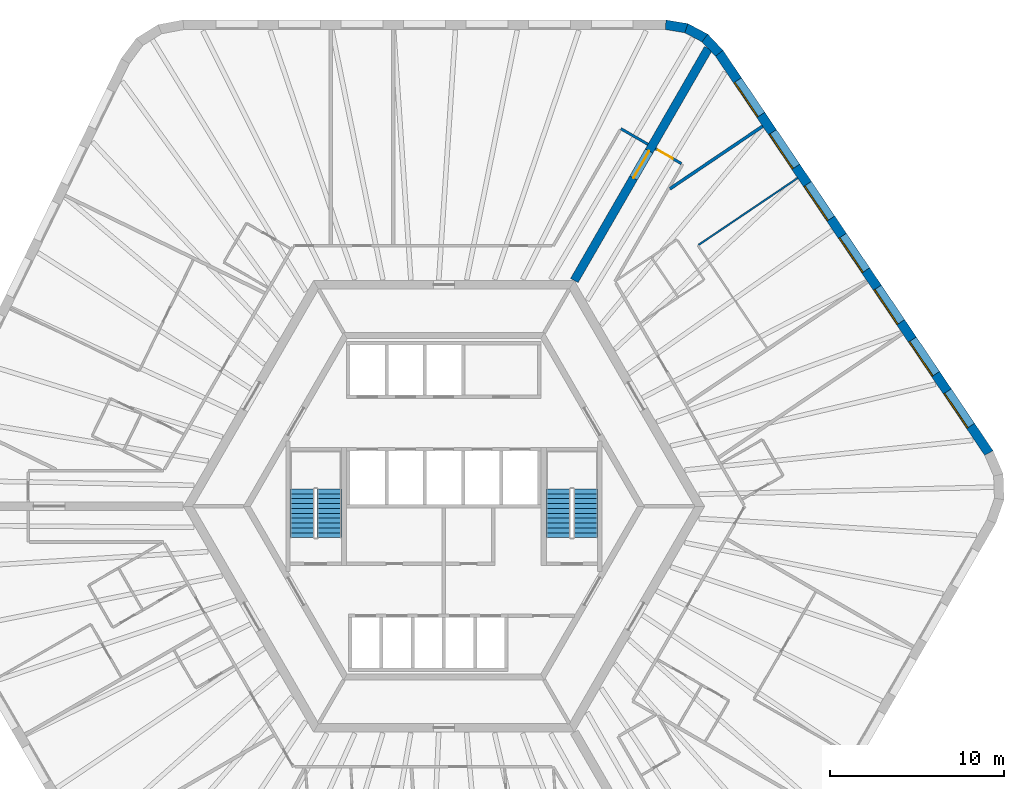
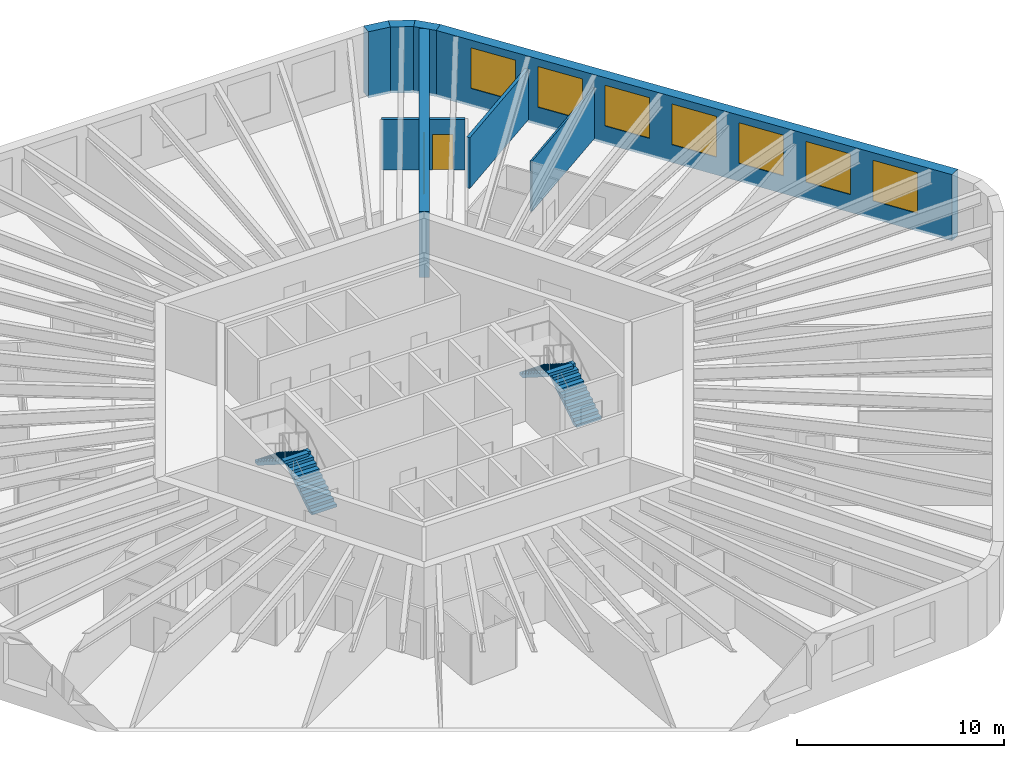
# One storey, part 9 of 10: 9 walls, 7 windows, 4 stair flights, 2 doors, 9 openings, 2 elements without a shape of their own.
"""IFC4 building model written with IfcOpenShell, lengths in metres."""

from ifc_helpers import new_model, si_unit, direction, frame, frame_2d, origin, place, context, subcontext, project, spatial, polyline, rectangle, outline, extrude, material, layer, layer_set, type_object, element, fill, aggregate, save


model = new_model("IFC4")

# Units and contexts
model_context = context("Model", 3, precision=1e-05, world=origin(), true_north=direction((0.0, 1.0)))
body_context = subcontext(model_context, "Body", "Model", "MODEL_VIEW")
ifc_project = project(units=[si_unit("LENGTHUNIT", "METRE"), si_unit("AREAUNIT", "SQUARE_METRE"), si_unit("VOLUMEUNIT", "CUBIC_METRE"), si_unit("PLANEANGLEUNIT", "RADIAN"), si_unit("MASSUNIT", "GRAM", prefix="KILO")], contexts=[model_context])

# Site, building, storey
site_placement = place(None, origin())
site = spatial("IfcSite", under=ifc_project, at=site_placement, CompositionType="ELEMENT")
building_placement = place(site_placement, origin())
building = spatial("IfcBuilding", under=site, at=building_placement, Name="Tarnside Tower", CompositionType="ELEMENT")
storey_placement = place(building_placement, frame((0.0, 0.0, 168.300048828125)))
storey = spatial("IfcBuildingStorey", under=building, at=storey_placement, Name="L39", CompositionType="ELEMENT", Elevation=168.300048828125)

# Wall, opening, door
ifc_material_1 = material(Name="Concrete C70/85", Category="concrete")
ifc_layer_1 = layer(ifc_material_1, 0.5)
ifc_layer_set_1 = layer_set([ifc_layer_1], Name="Core wall Z2 500 C70/85")
wall_type_1 = type_object("IfcWallType", Name="Core wall Z2 500 C70/85", PredefinedType="SHEAR", material=ifc_layer_set_1)
wall_1_placement = place(storey_placement, frame((7.505615234375, 13.0, -0.150146484375), z_axis=(0.0, 0.0, 1.0), x_axis=(0.499988271576, 0.866032175087, 0.0)))
wall_1 = element("IfcWall", 1, at=wall_1_placement, inside=storey, type_object=wall_type_1, Name="L39 spine wall 1", PredefinedType="SHEAR", context=body_context, shape_type="SweptSolid", body=[
    extrude(rectangle(XDim=15.423583984375, YDim=0.5, at=frame_2d((7.7119140625, 0.0))), origin(), (0.0, 0.0, 1.0), 3.900146484375),
])
opening_1_placement = place(wall_1_placement, frame((6.811767578125, 0.0, 0.14990234375)))
opening_1 = element("IfcOpeningElement", 2, at=opening_1_placement, cuts=wall_1, Name="Opening CD-SPN", PredefinedType="OPENING", context=body_context, shape_type="SweptSolid", body=[
    extrude(rectangle(XDim=1.800048828125, YDim=2.39990234375, at=frame_2d((0.89990234375, 1.199951171875))), frame((0.0, 0.260009765625, 0.0), z_axis=(0.0, -1.0, 0.0), x_axis=(1.0, 0.0, 0.0)), (0.0, 0.0, 1.0), 0.52001953125),
])
ifc_material_2 = material(Name="Steel fire door", Category="steel")
door_type_1 = type_object("IfcDoorType", Name="Spine passage double door FD60 1800x2400", OperationType="NOTDEFINED", PredefinedType="DOOR", material=ifc_material_2)
door_1_placement = place(opening_1_placement, origin())
door_1 = element("IfcDoor", 3, at=door_1_placement, inside=storey, type_object=door_type_1, Name="L39 spine passage door 1", OperationType="DOUBLE_DOOR_SINGLE_SWING", OverallHeight=2.39990234375, OverallWidth=1.800048828125, PredefinedType="DOOR", context=body_context, shape_type="SweptSolid", body=[
    extrude(rectangle(XDim=1.800048828125, YDim=2.39990234375, at=frame_2d((0.89990234375, 1.199951171875))), frame((0.0, 0.02490234375, 0.0), z_axis=(0.0, -1.0, 0.0), x_axis=(1.0, 0.0, 0.0)), (0.0, 0.0, 1.0), 0.050048828125),
])
fill(opening_1, door_1)

# Wall
ifc_material_3 = material(Name="Gypsum board partition on steel studs", Category="steel")
ifc_layer_2 = layer(ifc_material_3, 0.14990234375)
ifc_layer_set_2 = layer_set([ifc_layer_2], Name="Corridor wall 150 EI 60")
wall_type_2 = type_object("IfcWallType", Name="Corridor wall 150 EI 60", PredefinedType="PARTITIONING", material=ifc_layer_set_2)
wall_2_placement = place(storey_placement, frame((11.744873046875, 20.8427734375, 0.0), z_axis=(0.0, 0.0, 1.0), x_axis=(-0.865989075817, 0.500062916607, 0.0)))
element("IfcWall", 4, at=wall_2_placement, inside=storey, type_object=wall_type_2, Name="Corridor wall 12001", PredefinedType="PARTITIONING", context=body_context, shape_type="SweptSolid", body=[
    extrude(rectangle(XDim=1.800048828125, YDim=0.14990234375, at=frame_2d((0.89990234375, 0.0))), origin(), (0.0, 0.0, 1.0), 2.98779296875),
])

# Wall, opening, door
wall_3_placement = place(storey_placement, frame((13.671875, 19.73046875, 0.0), z_axis=(0.0, 0.0, 1.0), x_axis=(-0.866074815912, 0.499914405916, 0.0)))
wall_3 = element("IfcWall", 5, at=wall_3_placement, inside=storey, type_object=wall_type_2, Name="Corridor wall 12044", PredefinedType="PARTITIONING", context=body_context, shape_type="SweptSolid", body=[
    extrude(rectangle(XDim=1.724853515625, YDim=0.14990234375, at=frame_2d((0.8623046875, 0.0))), origin(), (0.0, 0.0, 1.0), 2.98779296875),
])
opening_2_placement = place(wall_3_placement, frame((0.574951171875, 0.0, 0.0)))
opening_2 = element("IfcOpeningElement", 6, at=opening_2_placement, cuts=wall_3, Name="Opening D-E1", PredefinedType="OPENING", context=body_context, shape_type="SweptSolid", body=[
    extrude(rectangle(XDim=1.0, YDim=2.10009765625, at=frame_2d((0.5, 1.050048828125))), frame((0.0, 0.0849609375, 0.0), z_axis=(0.0, -1.0, 0.0), x_axis=(1.0, 0.0, 0.0)), (0.0, 0.0, 1.0), 0.169921875),
])
ifc_material_4 = material(Name="Timber door leaf", Category="wood")
door_type_2 = type_object("IfcDoorType", Name="Unit entrance door 1000 FD30S", OperationType="NOTDEFINED", PredefinedType="DOOR", material=ifc_material_4)
door_2_placement = place(opening_2_placement, origin())
door_2 = element("IfcDoor", 7, at=door_2_placement, inside=storey, type_object=door_type_2, Name="Unit door 12035", OperationType="SINGLE_SWING_LEFT", OverallHeight=2.10009765625, OverallWidth=1.0, PredefinedType="DOOR", context=body_context, shape_type="SweptSolid", body=[
    extrude(rectangle(XDim=1.0, YDim=2.10009765625, at=frame_2d((0.5, 1.050048828125))), frame((0.0, 0.02490234375, 0.0), z_axis=(0.0, -1.0, 0.0), x_axis=(1.0, 0.0, 0.0)), (0.0, 0.0, 1.0), 0.050048828125),
])
fill(opening_2, door_2)

# Walls
ifc_layer_3 = layer(ifc_material_3, 0.179931640625)
ifc_layer_set_3 = layer_set([ifc_layer_3], Name="Demising wall 180 EI 60")
wall_type_3 = type_object("IfcWallType", Name="Demising wall 180 EI 60", PredefinedType="PARTITIONING", material=ifc_layer_set_3)
wall_4_placement = place(storey_placement, frame((18.349609375, 21.88427734375, 0.0), z_axis=(0.0, 0.0, 1.0), x_axis=(-0.829047205772, -0.559178621374, 0.0)))
element("IfcWall", 8, at=wall_4_placement, inside=storey, type_object=wall_type_3, Name="Demising wall 12112", PredefinedType="PARTITIONING", context=body_context, shape_type="SweptSolid", body=[
    extrude(rectangle(XDim=6.442138671875, YDim=0.179931640625, at=frame_2d((3.22119140625, 0.0))), origin(), (0.0, 0.0, 1.0), 2.98779296875),
])
ifc_layer_4 = layer(ifc_material_3, 0.10009765625)
ifc_layer_set_4 = layer_set([ifc_layer_4], Name="Partition 100")
wall_type_4 = type_object("IfcWallType", Name="Partition 100", PredefinedType="PARTITIONING", material=ifc_layer_set_4)
wall_5_placement = place(storey_placement, frame((14.65673828125, 15.05126953125, 0.0), z_axis=(0.0, 0.0, 1.0), x_axis=(0.829036561965, 0.559194401729, 0.0)))
element("IfcWall", 9, at=wall_5_placement, inside=storey, type_object=wall_type_4, Name="Partition wall 12111", PredefinedType="PARTITIONING", context=body_context, shape_type="SweptSolid", body=[
    extrude(rectangle(XDim=6.882568359375, YDim=0.10009765625, at=frame_2d((3.44140625, 0.0))), origin(), (0.0, 0.0, 1.0), 2.98779296875),
])

# Wall, openings, windows
ifc_material_5 = material(Name="Facing brick", Category="masonry")
ifc_layer_5 = layer(ifc_material_5, 0.10205078125)
ifc_material_6 = material(Name="Concrete C60/75 precast", Category="concrete")
ifc_layer_6 = layer(ifc_material_6, 0.347900390625)
ifc_material_7 = material(Name="Mineral wool insulation")
ifc_layer_7 = layer(ifc_material_7, 0.10009765625)
ifc_layer_set_5 = layer_set([ifc_layer_5, ifc_layer_6, ifc_layer_7], Name="Tube wall 550 brick faced")
wall_type_5 = type_object("IfcWallType", Name="Tube wall 550 brick faced", PredefinedType="SOLIDWALL", material=ifc_layer_set_5)
wall_6_placement = place(storey_placement, frame((31.37109375, 3.070556640625, -0.150146484375), z_axis=(0.0, 0.0, 1.0), x_axis=(-0.559189891278, 0.829039604297, 0.0)))
wall_6 = element("IfcWall", 10, at=wall_6_placement, inside=storey, type_object=wall_type_5, Name="Tube wall L39 F6 flush 20", PredefinedType="SOLIDWALL", context=body_context, shape_type="SweptSolid", body=[
    extrude(outline(polyline([(-0.025634765625, -0.27490234375), (27.780517578125, -0.27490234375), (27.735595703125, 0.27490234375), (0.025634765625, 0.27490234375), (-0.025634765625, -0.27490234375)])), origin(), (0.0, 0.0, 1.0), 3.900146484375),
])
opening_3_placement = place(wall_6_placement, frame((1.87890625, 0.0, 1.050048828125)))
opening_3 = element("IfcOpeningElement", 11, at=opening_3_placement, cuts=wall_6, Name="Opening WH", PredefinedType="OPENING", context=body_context, shape_type="SweptSolid", body=[
    extrude(rectangle(XDim=2.39990234375, YDim=2.39990234375, at=frame_2d((1.199951171875, 1.199951171875))), frame((0.0, 0.28515625, 0.0), z_axis=(0.0, -1.0, 0.0), x_axis=(1.0, 0.0, 0.0)), (0.0, 0.0, 1.0), 0.570068359375),
])
opening_4_placement = place(wall_6_placement, frame((5.47900390625, 0.0, 1.050048828125)))
opening_4 = element("IfcOpeningElement", 12, at=opening_4_placement, cuts=wall_6, Name="Opening WH", PredefinedType="OPENING", context=body_context, shape_type="SweptSolid", body=[
    extrude(rectangle(XDim=2.39990234375, YDim=2.39990234375, at=frame_2d((1.199951171875, 1.199951171875))), frame((0.0, 0.28515625, 0.0), z_axis=(0.0, -1.0, 0.0), x_axis=(1.0, 0.0, 0.0)), (0.0, 0.0, 1.0), 0.570068359375),
])
opening_5_placement = place(wall_6_placement, frame((9.078857421875, 0.0, 1.050048828125)))
opening_5 = element("IfcOpeningElement", 13, at=opening_5_placement, cuts=wall_6, Name="Opening WH", PredefinedType="OPENING", context=body_context, shape_type="SweptSolid", body=[
    extrude(rectangle(XDim=2.39990234375, YDim=2.39990234375, at=frame_2d((1.199951171875, 1.199951171875))), frame((0.0, 0.28515625, 0.0), z_axis=(0.0, -1.0, 0.0), x_axis=(1.0, 0.0, 0.0)), (0.0, 0.0, 1.0), 0.570068359375),
])
opening_6_placement = place(wall_6_placement, frame((12.678955078125, 0.0, 1.050048828125)))
opening_6 = element("IfcOpeningElement", 14, at=opening_6_placement, cuts=wall_6, Name="Opening WH", PredefinedType="OPENING", context=body_context, shape_type="SweptSolid", body=[
    extrude(rectangle(XDim=2.39990234375, YDim=2.39990234375, at=frame_2d((1.199951171875, 1.199951171875))), frame((0.0, 0.28515625, 0.0), z_axis=(0.0, -1.0, 0.0), x_axis=(1.0, 0.0, 0.0)), (0.0, 0.0, 1.0), 0.570068359375),
])
opening_7_placement = place(wall_6_placement, frame((16.27880859375, 0.0, 1.050048828125)))
opening_7 = element("IfcOpeningElement", 15, at=opening_7_placement, cuts=wall_6, Name="Opening WH", PredefinedType="OPENING", context=body_context, shape_type="SweptSolid", body=[
    extrude(rectangle(XDim=2.39990234375, YDim=2.39990234375, at=frame_2d((1.199951171875, 1.199951171875))), frame((0.0, 0.28515625, 0.0), z_axis=(0.0, -1.0, 0.0), x_axis=(1.0, 0.0, 0.0)), (0.0, 0.0, 1.0), 0.570068359375),
])
opening_8_placement = place(wall_6_placement, frame((19.87890625, 0.0, 1.050048828125)))
opening_8 = element("IfcOpeningElement", 16, at=opening_8_placement, cuts=wall_6, Name="Opening WH", PredefinedType="OPENING", context=body_context, shape_type="SweptSolid", body=[
    extrude(rectangle(XDim=2.39990234375, YDim=2.39990234375, at=frame_2d((1.199951171875, 1.199951171875))), frame((0.0, 0.28515625, 0.0), z_axis=(0.0, -1.0, 0.0), x_axis=(1.0, 0.0, 0.0)), (0.0, 0.0, 1.0), 0.570068359375),
])
opening_9_placement = place(wall_6_placement, frame((23.47900390625, 0.0, 1.050048828125)))
opening_9 = element("IfcOpeningElement", 17, at=opening_9_placement, cuts=wall_6, Name="Opening WH", PredefinedType="OPENING", context=body_context, shape_type="SweptSolid", body=[
    extrude(rectangle(XDim=2.39990234375, YDim=2.39990234375, at=frame_2d((1.199951171875, 1.199951171875))), frame((0.0, 0.28515625, 0.0), z_axis=(0.0, -1.0, 0.0), x_axis=(1.0, 0.0, 0.0)), (0.0, 0.0, 1.0), 0.570068359375),
])
ifc_material_8 = material(Name="Aluminium-framed double glazing", Category="aluminium")
window_type = type_object("IfcWindowType", Name="Hotel window 2400 x 2400", PartitioningType="DOUBLE_PANEL_VERTICAL", PredefinedType="WINDOW", material=ifc_material_8)
window_1_placement = place(opening_3_placement, frame((0.0, 0.205078125, 0.0)))
window_1 = element("IfcWindow", 18, at=window_1_placement, inside=storey, type_object=window_type, Name="E.WN.L39.F6.00", OverallHeight=2.39990234375, OverallWidth=2.39990234375, PartitioningType="DOUBLE_PANEL_VERTICAL", PredefinedType="WINDOW", context=body_context, shape_type="SweptSolid", body=[
    extrude(rectangle(XDim=2.39990234375, YDim=2.39990234375, at=frame_2d((1.199951171875, 1.199951171875))), frame((0.0, 0.030029296875, 0.0), z_axis=(0.0, -1.0, 0.0), x_axis=(1.0, 0.0, 0.0)), (0.0, 0.0, 1.0), 0.06005859375),
])
fill(opening_3, window_1)
window_2_placement = place(opening_4_placement, frame((0.0, 0.205078125, 0.0)))
window_2 = element("IfcWindow", 19, at=window_2_placement, inside=storey, type_object=window_type, Name="E.WN.L39.F6.01", OverallHeight=2.39990234375, OverallWidth=2.39990234375, PartitioningType="DOUBLE_PANEL_VERTICAL", PredefinedType="WINDOW", context=body_context, shape_type="SweptSolid", body=[
    extrude(rectangle(XDim=2.39990234375, YDim=2.39990234375, at=frame_2d((1.199951171875, 1.199951171875))), frame((0.0, 0.030029296875, 0.0), z_axis=(0.0, -1.0, 0.0), x_axis=(1.0, 0.0, 0.0)), (0.0, 0.0, 1.0), 0.06005859375),
])
fill(opening_4, window_2)
window_3_placement = place(opening_5_placement, frame((0.0, 0.205078125, 0.0)))
window_3 = element("IfcWindow", 20, at=window_3_placement, inside=storey, type_object=window_type, Name="E.WN.L39.F6.02", OverallHeight=2.39990234375, OverallWidth=2.39990234375, PartitioningType="DOUBLE_PANEL_VERTICAL", PredefinedType="WINDOW", context=body_context, shape_type="SweptSolid", body=[
    extrude(rectangle(XDim=2.39990234375, YDim=2.39990234375, at=frame_2d((1.199951171875, 1.199951171875))), frame((0.0, 0.030029296875, 0.0), z_axis=(0.0, -1.0, 0.0), x_axis=(1.0, 0.0, 0.0)), (0.0, 0.0, 1.0), 0.06005859375),
])
fill(opening_5, window_3)
window_4_placement = place(opening_6_placement, frame((0.0, 0.205078125, 0.0)))
window_4 = element("IfcWindow", 21, at=window_4_placement, inside=storey, type_object=window_type, Name="E.WN.L39.F6.03", OverallHeight=2.39990234375, OverallWidth=2.39990234375, PartitioningType="DOUBLE_PANEL_VERTICAL", PredefinedType="WINDOW", context=body_context, shape_type="SweptSolid", body=[
    extrude(rectangle(XDim=2.39990234375, YDim=2.39990234375, at=frame_2d((1.199951171875, 1.199951171875))), frame((0.0, 0.030029296875, 0.0), z_axis=(0.0, -1.0, 0.0), x_axis=(1.0, 0.0, 0.0)), (0.0, 0.0, 1.0), 0.06005859375),
])
fill(opening_6, window_4)
window_5_placement = place(opening_7_placement, frame((0.0, 0.205078125, 0.0)))
window_5 = element("IfcWindow", 22, at=window_5_placement, inside=storey, type_object=window_type, Name="E.WN.L39.F6.04", OverallHeight=2.39990234375, OverallWidth=2.39990234375, PartitioningType="DOUBLE_PANEL_VERTICAL", PredefinedType="WINDOW", context=body_context, shape_type="SweptSolid", body=[
    extrude(rectangle(XDim=2.39990234375, YDim=2.39990234375, at=frame_2d((1.199951171875, 1.199951171875))), frame((0.0, 0.030029296875, 0.0), z_axis=(0.0, -1.0, 0.0), x_axis=(1.0, 0.0, 0.0)), (0.0, 0.0, 1.0), 0.06005859375),
])
fill(opening_7, window_5)
window_6_placement = place(opening_8_placement, frame((0.0, 0.205078125, 0.0)))
window_6 = element("IfcWindow", 23, at=window_6_placement, inside=storey, type_object=window_type, Name="E.WN.L39.F6.05", OverallHeight=2.39990234375, OverallWidth=2.39990234375, PartitioningType="DOUBLE_PANEL_VERTICAL", PredefinedType="WINDOW", context=body_context, shape_type="SweptSolid", body=[
    extrude(rectangle(XDim=2.39990234375, YDim=2.39990234375, at=frame_2d((1.199951171875, 1.199951171875))), frame((0.0, 0.030029296875, 0.0), z_axis=(0.0, -1.0, 0.0), x_axis=(1.0, 0.0, 0.0)), (0.0, 0.0, 1.0), 0.06005859375),
])
fill(opening_8, window_6)
window_7_placement = place(opening_9_placement, frame((0.0, 0.205078125, 0.0)))
window_7 = element("IfcWindow", 24, at=window_7_placement, inside=storey, type_object=window_type, Name="E.WN.L39.F6.06", OverallHeight=2.39990234375, OverallWidth=2.39990234375, PartitioningType="DOUBLE_PANEL_VERTICAL", PredefinedType="WINDOW", context=body_context, shape_type="SweptSolid", body=[
    extrude(rectangle(XDim=2.39990234375, YDim=2.39990234375, at=frame_2d((1.199951171875, 1.199951171875))), frame((0.0, 0.030029296875, 0.0), z_axis=(0.0, -1.0, 0.0), x_axis=(1.0, 0.0, 0.0)), (0.0, 0.0, 1.0), 0.06005859375),
])
fill(opening_9, window_7)

# Walls
wall_7_placement = place(storey_placement, frame((15.84912109375, 26.0830078125, -0.150146484375), z_axis=(0.0, 0.0, 1.0), x_axis=(-0.686196220404, 0.727416488061, 0.0)))
element("IfcWall", 25, at=wall_7_placement, inside=storey, type_object=wall_type_5, Name="Tube wall L39 F6 chord 21", PredefinedType="SOLIDWALL", context=body_context, shape_type="SweptSolid", body=[
    extrude(outline(polyline([(-0.0224609375, -0.27490234375), (1.25341796875, -0.27490234375), (1.1630859375, 0.27490234375), (0.0224609375, 0.27490234375), (-0.0224609375, -0.27490234375)])), origin(), (0.0, 0.0, 1.0), 3.900146484375),
])
wall_8_placement = place(storey_placement, frame((15.02001953125, 26.9619140625, -0.150146484375), z_axis=(0.0, 0.0, 1.0), x_axis=(-0.882950818639, 0.469465495926, 0.0)))
element("IfcWall", 26, at=wall_8_placement, inside=storey, type_object=wall_type_5, Name="Tube wall L39 F6 chord 22", PredefinedType="SOLIDWALL", context=body_context, shape_type="SweptSolid", body=[
    extrude(outline(polyline([(-0.045166015625, -0.27490234375), (1.253173828125, -0.27490234375), (1.162841796875, 0.27490234375), (0.045166015625, 0.27490234375), (-0.045166015625, -0.27490234375)])), origin(), (0.0, 0.0, 1.0), 3.900146484375),
])
wall_9_placement = place(storey_placement, frame((13.953369140625, 27.529052734375, -0.150146484375), z_axis=(0.0, 0.0, 1.0), x_axis=(-0.986751945211, 0.162236243244, 0.0)))
element("IfcWall", 27, at=wall_9_placement, inside=storey, type_object=wall_type_5, Name="Tube wall L39 F6 chord 23", PredefinedType="SOLIDWALL", context=body_context, shape_type="SweptSolid", body=[
    extrude(outline(polyline([(-0.045166015625, -0.27490234375), (1.23095703125, -0.27490234375), (1.18603515625, 0.27490234375), (0.045166015625, 0.27490234375), (-0.045166015625, -0.27490234375)])), origin(), (0.0, 0.0, 1.0), 3.900146484375),
])

# Stair, stair flights
ifc_material_9 = material(Name="Concrete C40/50", Category="concrete")
stair_type = type_object("IfcStairType", Name="Exit stair 1400 clear", PredefinedType="HALF_TURN_STAIR", material=ifc_material_9)
stair_1_placement = place(storey_placement, origin())
stair_1 = element("IfcStair", 28, at=stair_1_placement, inside=storey, type_object=stair_type, Name="L39 Exit stair 1", PredefinedType="HALF_TURN_STAIR")
stair_flight_type = type_object("IfcStairFlightType", Name="Exit stair flight 1400", PredefinedType="STRAIGHT", material=ifc_material_9)
stair_flight_1_placement = place(storey_placement, frame((8.14990234375, -1.800048828125, 0.0), z_axis=(0.0, 0.0, 1.0), x_axis=(0.0, 1.0, 0.0)))
stair_flight_1 = element("IfcStairFlight", 29, at=stair_flight_1_placement, type_object=stair_flight_type, Name="ST1 flight 1", NumberOfRisers=11, NumberOfTreads=10, PredefinedType="STRAIGHT", RiserHeight=0.177272727, TreadLength=0.28, context=body_context, shape_type="SweptSolid", body=[
    extrude(outline(polyline([(0.0, 0.0), (0.0, 0.17724609375), (0.280029296875, 0.17724609375), (0.280029296875, 0.3544921875), (0.56005859375, 0.3544921875), (0.56005859375, 0.53173828125), (0.840087890625, 0.53173828125), (0.840087890625, 0.708984375), (1.1201171875, 0.708984375), (1.1201171875, 0.886474609375), (1.39990234375, 0.886474609375), (1.39990234375, 1.063720703125), (1.679931640625, 1.063720703125), (1.679931640625, 1.240966796875), (1.9599609375, 1.240966796875), (1.9599609375, 1.418212890625), (2.239990234375, 1.418212890625), (2.239990234375, 1.595458984375), (2.52001953125, 1.595458984375), (2.52001953125, 1.772705078125), (2.800048828125, 1.772705078125), (2.800048828125, 1.949951171875), (2.800048828125, 1.59521484375), (0.2802734375, 0.0), (0.0, 0.0)])), frame((0.0, 0.699951171875, 0.0), z_axis=(0.0, -1.0, 0.0), x_axis=(1.0, 0.0, 0.0)), (0.0, 0.0, 1.0), 1.39990234375),
])
stair_flight_2_placement = place(storey_placement, frame((6.60009765625, 1.0, 1.949951171875), z_axis=(0.0, 0.0, 1.0), x_axis=(0.0, -1.0, 0.0)))
stair_flight_2 = element("IfcStairFlight", 30, at=stair_flight_2_placement, type_object=stair_flight_type, Name="ST1 flight 2", NumberOfRisers=11, NumberOfTreads=10, PredefinedType="STRAIGHT", RiserHeight=0.177272727, TreadLength=0.28, context=body_context, shape_type="SweptSolid", body=[
    extrude(outline(polyline([(0.0, 0.0), (0.0, 0.17724609375), (0.280029296875, 0.17724609375), (0.280029296875, 0.3544921875), (0.56005859375, 0.3544921875), (0.56005859375, 0.53173828125), (0.840087890625, 0.53173828125), (0.840087890625, 0.708984375), (1.1201171875, 0.708984375), (1.1201171875, 0.886474609375), (1.39990234375, 0.886474609375), (1.39990234375, 1.063720703125), (1.679931640625, 1.063720703125), (1.679931640625, 1.240966796875), (1.9599609375, 1.240966796875), (1.9599609375, 1.418212890625), (2.239990234375, 1.418212890625), (2.239990234375, 1.595458984375), (2.52001953125, 1.595458984375), (2.52001953125, 1.772705078125), (2.800048828125, 1.772705078125), (2.800048828125, 1.949951171875), (2.800048828125, 1.59521484375), (0.2802734375, 0.0), (0.0, 0.0)])), frame((0.0, 0.699951171875, 0.0), z_axis=(0.0, -1.0, 0.0), x_axis=(1.0, 0.0, 0.0)), (0.0, 0.0, 1.0), 1.39990234375),
])
aggregate(stair_1, [stair_flight_1, stair_flight_2])

stair_2_placement = place(storey_placement, origin())
stair_2 = element("IfcStair", 31, at=stair_2_placement, inside=storey, type_object=stair_type, Name="L39 Exit stair 2", PredefinedType="HALF_TURN_STAIR")
stair_flight_3_placement = place(storey_placement, frame((-6.60009765625, -1.800048828125, 0.0), z_axis=(0.0, 0.0, 1.0), x_axis=(0.0, 1.0, 0.0)))
stair_flight_3 = element("IfcStairFlight", 32, at=stair_flight_3_placement, type_object=stair_flight_type, Name="ST2 flight 1", NumberOfRisers=11, NumberOfTreads=10, PredefinedType="STRAIGHT", RiserHeight=0.177272727, TreadLength=0.28, context=body_context, shape_type="SweptSolid", body=[
    extrude(outline(polyline([(0.0, 0.0), (0.0, 0.17724609375), (0.280029296875, 0.17724609375), (0.280029296875, 0.3544921875), (0.56005859375, 0.3544921875), (0.56005859375, 0.53173828125), (0.840087890625, 0.53173828125), (0.840087890625, 0.708984375), (1.1201171875, 0.708984375), (1.1201171875, 0.886474609375), (1.39990234375, 0.886474609375), (1.39990234375, 1.063720703125), (1.679931640625, 1.063720703125), (1.679931640625, 1.240966796875), (1.9599609375, 1.240966796875), (1.9599609375, 1.418212890625), (2.239990234375, 1.418212890625), (2.239990234375, 1.595458984375), (2.52001953125, 1.595458984375), (2.52001953125, 1.772705078125), (2.800048828125, 1.772705078125), (2.800048828125, 1.949951171875), (2.800048828125, 1.59521484375), (0.2802734375, 0.0), (0.0, 0.0)])), frame((0.0, 0.699951171875, 0.0), z_axis=(0.0, -1.0, 0.0), x_axis=(1.0, 0.0, 0.0)), (0.0, 0.0, 1.0), 1.39990234375),
])
stair_flight_4_placement = place(storey_placement, frame((-8.14990234375, 1.0, 1.949951171875), z_axis=(0.0, 0.0, 1.0), x_axis=(0.0, -1.0, 0.0)))
stair_flight_4 = element("IfcStairFlight", 33, at=stair_flight_4_placement, type_object=stair_flight_type, Name="ST2 flight 2", NumberOfRisers=11, NumberOfTreads=10, PredefinedType="STRAIGHT", RiserHeight=0.177272727, TreadLength=0.28, context=body_context, shape_type="SweptSolid", body=[
    extrude(outline(polyline([(0.0, 0.0), (0.0, 0.17724609375), (0.280029296875, 0.17724609375), (0.280029296875, 0.3544921875), (0.56005859375, 0.3544921875), (0.56005859375, 0.53173828125), (0.840087890625, 0.53173828125), (0.840087890625, 0.708984375), (1.1201171875, 0.708984375), (1.1201171875, 0.886474609375), (1.39990234375, 0.886474609375), (1.39990234375, 1.063720703125), (1.679931640625, 1.063720703125), (1.679931640625, 1.240966796875), (1.9599609375, 1.240966796875), (1.9599609375, 1.418212890625), (2.239990234375, 1.418212890625), (2.239990234375, 1.595458984375), (2.52001953125, 1.595458984375), (2.52001953125, 1.772705078125), (2.800048828125, 1.772705078125), (2.800048828125, 1.949951171875), (2.800048828125, 1.59521484375), (0.2802734375, 0.0), (0.0, 0.0)])), frame((0.0, 0.699951171875, 0.0), z_axis=(0.0, -1.0, 0.0), x_axis=(1.0, 0.0, 0.0)), (0.0, 0.0, 1.0), 1.39990234375),
])
aggregate(stair_2, [stair_flight_3, stair_flight_4])

save(model, "model.ifc")
